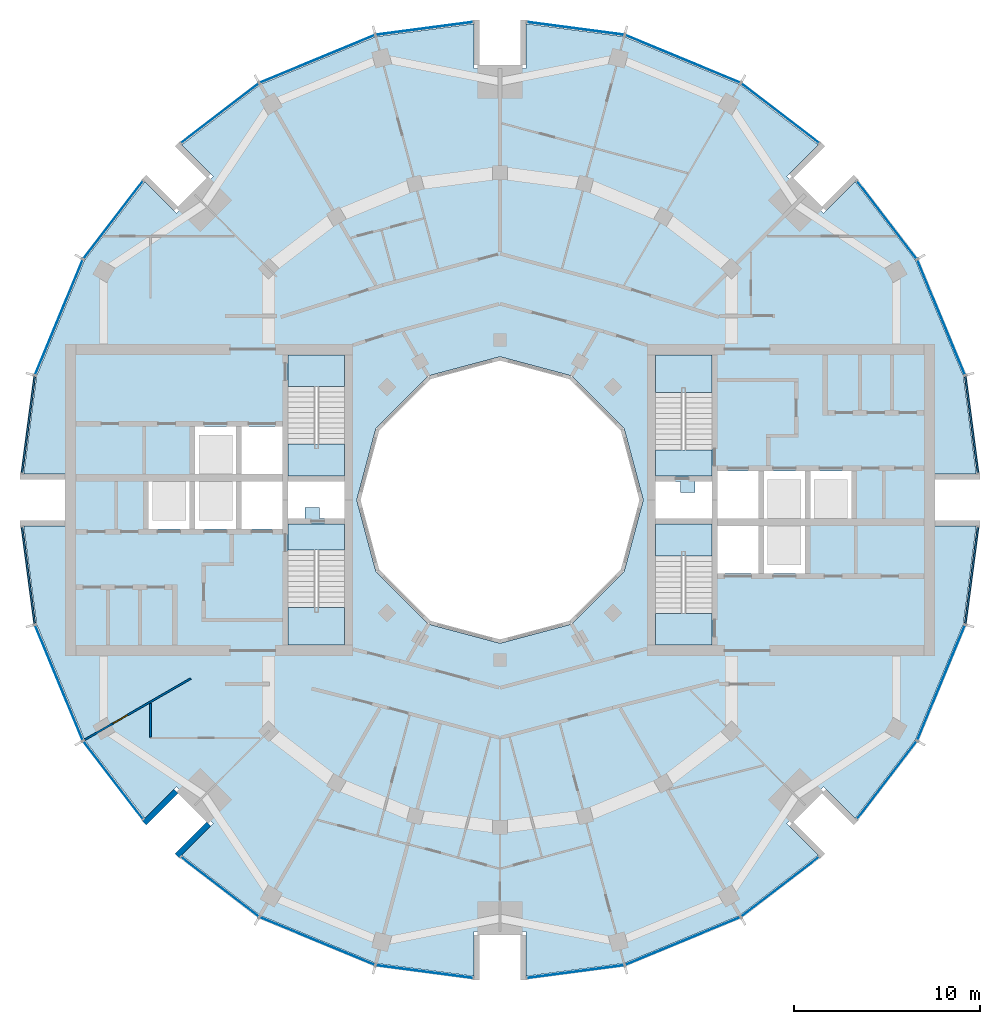
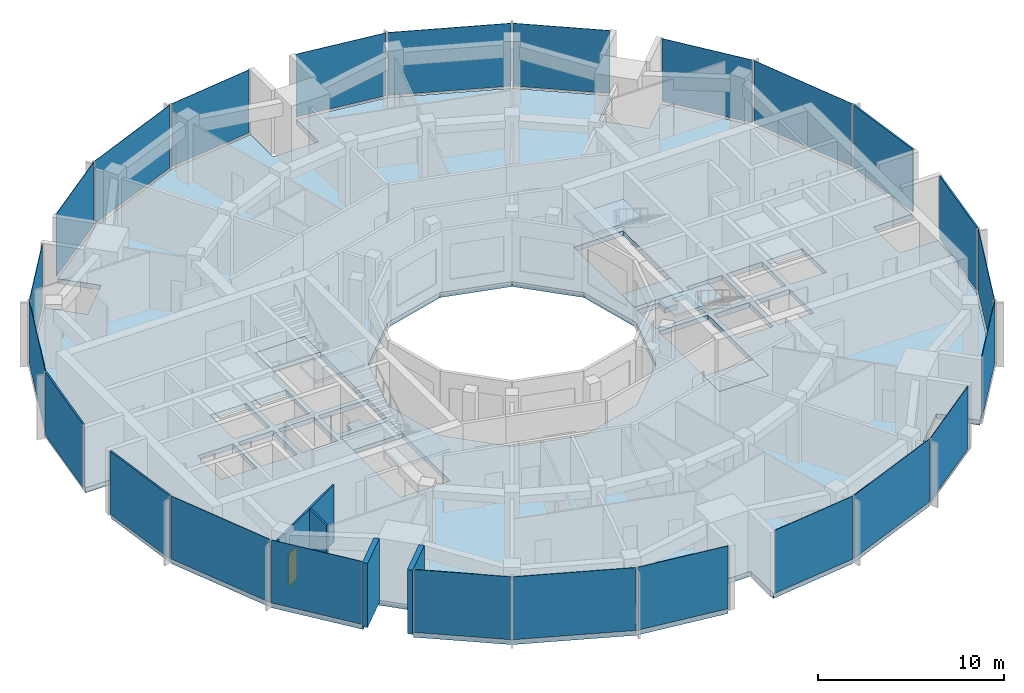
# One storey, part 7 of 15: 24 plates, 9 slabs, 4 walls, 1 door, 1 opening, 28 elements without a shape of their own.
"""IFC4 building model written with IfcOpenShell, lengths in metres."""

from ifc_helpers import new_model, si_unit, direction, frame, frame_2d, origin, origin_2d, place, context, subcontext, project, spatial, polyline, rectangle, outline, extrude, material, layer, layer_set, type_object, element, fill, aggregate, save


model = new_model("IFC4")

# Units and contexts
model_context = context("Model", 3, precision=1e-05, world=origin(), true_north=direction((0.0, 1.0)))
body_context = subcontext(model_context, "Body", "Model", "MODEL_VIEW")
ifc_project = project(units=[si_unit("LENGTHUNIT", "METRE"), si_unit("AREAUNIT", "SQUARE_METRE"), si_unit("VOLUMEUNIT", "CUBIC_METRE"), si_unit("PLANEANGLEUNIT", "RADIAN"), si_unit("MASSUNIT", "GRAM", prefix="KILO")], contexts=[model_context])

# Site, building, storey
site_placement = place(None, origin())
site = spatial("IfcSite", under=ifc_project, at=site_placement, CompositionType="ELEMENT")
building_placement = place(site_placement, origin())
building = spatial("IfcBuilding", under=site, at=building_placement, Name="Torre Brocal", CompositionType="ELEMENT")
storey_placement = place(building_placement, frame((0.0, 0.0, 212.5)))
storey = spatial("IfcBuildingStorey", under=building, at=storey_placement, Name="L49", CompositionType="ELEMENT", Elevation=212.5)

# Curtain wall, plate
ifc_material_1 = material(Name="Aluminium and glass", Category="aluminium")
ifc_layer_1 = layer(ifc_material_1, 0.199951171875)
ifc_layer_set_1 = layer_set([ifc_layer_1], Name="Aluminium and glass")
curtain_wall_type_1 = type_object("IfcCurtainWallType", Name="CW-1 CURTAIN WALL 4200 HIGH", PredefinedType="NOTDEFINED", material=ifc_layer_set_1)
curtain_wall_1_placement = place(storey_placement, origin())
curtain_wall_1 = element("IfcCurtainWall", 1, at=curtain_wall_1_placement, inside=storey, type_object=curtain_wall_type_1, Name="CW-1 RUN 2", PredefinedType="NOTDEFINED")
ifc_material_2 = material(Name="Glass, dark tinted laminated", Category="glass")
ifc_layer_2 = layer(ifc_material_2, 0.031982421875)
ifc_layer_set_2 = layer_set([ifc_layer_2], Name="Glass, dark tinted laminated")
plate_type_1 = type_object("IfcPlateType", Name="CW-1 GLASS PANEL 32", PredefinedType="CURTAIN_PANEL", material=ifc_layer_set_2)
plate_1_placement = place(storey_placement, frame((103.722900390625, 84.826416015625, 0.079833984375), z_axis=(0.0, 0.0, 1.0), x_axis=(-0.382683432333, 0.923879532525, 0.0)))
plate_1 = element("IfcPlate", 2, at=plate_1_placement, type_object=plate_type_1, Name="CW1-5 panel 1.1", PredefinedType="CURTAIN_PANEL", context=body_context, shape_type="SweptSolid", body=[
    extrude(rectangle(XDim=6.64111328125, YDim=0.031982421875, at=origin_2d()), origin(), (0.0, 0.0, 1.0), 4.1201171875),
])
aggregate(curtain_wall_1, [plate_1])

curtain_wall_2_placement = place(storey_placement, origin())
curtain_wall_2 = element("IfcCurtainWall", 3, at=curtain_wall_2_placement, inside=storey, type_object=curtain_wall_type_1, Name="CW-1 RUN 3", PredefinedType="NOTDEFINED")
plate_2_placement = place(storey_placement, frame((100.80126953125, 90.0712890625, 0.079833984375), z_axis=(0.0, 0.0, 1.0), x_axis=(-0.60876142905, 0.793353340259, 0.0)))
plate_2 = element("IfcPlate", 4, at=plate_2_placement, type_object=plate_type_1, Name="CW1-5 panel 1.1", PredefinedType="CURTAIN_PANEL", context=body_context, shape_type="SweptSolid", body=[
    extrude(rectangle(XDim=5.22900390625, YDim=0.031982421875, at=origin_2d()), origin(), (0.0, 0.0, 1.0), 4.1201171875),
])
aggregate(curtain_wall_2, [plate_2])

curtain_wall_3_placement = place(storey_placement, origin())
curtain_wall_3 = element("IfcCurtainWall", 5, at=curtain_wall_3_placement, inside=storey, type_object=curtain_wall_type_1, Name="CW-1 RUN 4", PredefinedType="NOTDEFINED")
plate_3_placement = place(storey_placement, frame((95.0712890625, 95.80126953125, 0.079833984375), z_axis=(0.0, 0.0, 1.0), x_axis=(-0.793353340259, 0.60876142905, 0.0)))
plate_3 = element("IfcPlate", 6, at=plate_3_placement, type_object=plate_type_1, Name="CW1-5 panel 1.1", PredefinedType="CURTAIN_PANEL", context=body_context, shape_type="SweptSolid", body=[
    extrude(rectangle(XDim=5.22900390625, YDim=0.031982421875, at=origin_2d()), origin(), (0.0, 0.0, 1.0), 4.1201171875),
])
aggregate(curtain_wall_3, [plate_3])

curtain_wall_4_placement = place(storey_placement, origin())
curtain_wall_4 = element("IfcCurtainWall", 7, at=curtain_wall_4_placement, inside=storey, type_object=curtain_wall_type_1, Name="CW-1 RUN 5", PredefinedType="NOTDEFINED")
plate_4_placement = place(storey_placement, frame((89.826416015625, 98.722900390625, 0.079833984375), z_axis=(0.0, 0.0, 1.0), x_axis=(-0.923879532525, 0.382683432333, 0.0)))
plate_4 = element("IfcPlate", 8, at=plate_4_placement, type_object=plate_type_1, Name="CW1-5 panel 1.1", PredefinedType="CURTAIN_PANEL", context=body_context, shape_type="SweptSolid", body=[
    extrude(rectangle(XDim=6.64111328125, YDim=0.031982421875, at=origin_2d()), origin(), (0.0, 0.0, 1.0), 4.1201171875),
])
aggregate(curtain_wall_4, [plate_4])

curtain_wall_5_placement = place(storey_placement, origin())
curtain_wall_5 = element("IfcCurtainWall", 9, at=curtain_wall_5_placement, inside=storey, type_object=curtain_wall_type_1, Name="CW-1 RUN 6", PredefinedType="NOTDEFINED")
plate_5_placement = place(storey_placement, frame((84.051513671875, 100.36572265625, 0.079833984375), z_axis=(0.0, 0.0, 1.0), x_axis=(-0.991444861374, 0.13052619222, 0.0)))
plate_5 = element("IfcPlate", 10, at=plate_5_placement, type_object=plate_type_1, Name="CW1-5 panel 1.1", PredefinedType="CURTAIN_PANEL", context=body_context, shape_type="SweptSolid", body=[
    extrude(rectangle(XDim=5.22900390625, YDim=0.031982421875, at=origin_2d()), origin(), (0.0, 0.0, 1.0), 4.1201171875),
])
aggregate(curtain_wall_5, [plate_5])

curtain_wall_6_placement = place(storey_placement, origin())
curtain_wall_6 = element("IfcCurtainWall", 11, at=curtain_wall_6_placement, inside=storey, type_object=curtain_wall_type_1, Name="CW-1 RUN 7", PredefinedType="NOTDEFINED")
plate_6_placement = place(storey_placement, frame((75.948486328125, 100.36572265625, 0.079833984375), z_axis=(0.0, 0.0, 1.0), x_axis=(-0.991444861374, -0.13052619222, 0.0)))
plate_6 = element("IfcPlate", 12, at=plate_6_placement, type_object=plate_type_1, Name="CW1-5 panel 1.1", PredefinedType="CURTAIN_PANEL", context=body_context, shape_type="SweptSolid", body=[
    extrude(rectangle(XDim=5.22900390625, YDim=0.031982421875, at=origin_2d()), origin(), (0.0, 0.0, 1.0), 4.1201171875),
])
aggregate(curtain_wall_6, [plate_6])

curtain_wall_7_placement = place(storey_placement, origin())
curtain_wall_7 = element("IfcCurtainWall", 13, at=curtain_wall_7_placement, inside=storey, type_object=curtain_wall_type_1, Name="CW-1 RUN 8", PredefinedType="NOTDEFINED")
plate_7_placement = place(storey_placement, frame((70.173583984375, 98.722900390625, 0.079833984375), z_axis=(0.0, 0.0, 1.0), x_axis=(-0.923879532525, -0.382683432333, 0.0)))
plate_7 = element("IfcPlate", 14, at=plate_7_placement, type_object=plate_type_1, Name="CW1-5 panel 1.1", PredefinedType="CURTAIN_PANEL", context=body_context, shape_type="SweptSolid", body=[
    extrude(rectangle(XDim=6.64111328125, YDim=0.031982421875, at=origin_2d()), origin(), (0.0, 0.0, 1.0), 4.1201171875),
])
aggregate(curtain_wall_7, [plate_7])

curtain_wall_8_placement = place(storey_placement, origin())
curtain_wall_8 = element("IfcCurtainWall", 15, at=curtain_wall_8_placement, inside=storey, type_object=curtain_wall_type_1, Name="CW-1 RUN 9", PredefinedType="NOTDEFINED")
plate_8_placement = place(storey_placement, frame((64.9287109375, 95.80126953125, 0.079833984375), z_axis=(0.0, 0.0, 1.0), x_axis=(-0.793353340259, -0.60876142905, 0.0)))
plate_8 = element("IfcPlate", 16, at=plate_8_placement, type_object=plate_type_1, Name="CW1-5 panel 1.1", PredefinedType="CURTAIN_PANEL", context=body_context, shape_type="SweptSolid", body=[
    extrude(rectangle(XDim=5.22900390625, YDim=0.031982421875, at=origin_2d()), origin(), (0.0, 0.0, 1.0), 4.1201171875),
])
aggregate(curtain_wall_8, [plate_8])

curtain_wall_9_placement = place(storey_placement, origin())
curtain_wall_9 = element("IfcCurtainWall", 17, at=curtain_wall_9_placement, inside=storey, type_object=curtain_wall_type_1, Name="CW-1 RUN 10", PredefinedType="NOTDEFINED")
plate_9_placement = place(storey_placement, frame((59.19873046875, 90.0712890625, 0.079833984375), z_axis=(0.0, 0.0, 1.0), x_axis=(-0.60876142905, -0.793353340259, 0.0)))
plate_9 = element("IfcPlate", 18, at=plate_9_placement, type_object=plate_type_1, Name="CW1-5 panel 1.1", PredefinedType="CURTAIN_PANEL", context=body_context, shape_type="SweptSolid", body=[
    extrude(rectangle(XDim=5.22900390625, YDim=0.031982421875, at=origin_2d()), origin(), (0.0, 0.0, 1.0), 4.1201171875),
])
aggregate(curtain_wall_9, [plate_9])

curtain_wall_10_placement = place(storey_placement, origin())
curtain_wall_10 = element("IfcCurtainWall", 19, at=curtain_wall_10_placement, inside=storey, type_object=curtain_wall_type_1, Name="CW-1 RUN 11", PredefinedType="NOTDEFINED")
plate_10_placement = place(storey_placement, frame((56.277099609375, 84.826416015625, 0.079833984375), z_axis=(0.0, 0.0, 1.0), x_axis=(-0.382683432333, -0.923879532525, 0.0)))
plate_10 = element("IfcPlate", 20, at=plate_10_placement, type_object=plate_type_1, Name="CW1-5 panel 1.1", PredefinedType="CURTAIN_PANEL", context=body_context, shape_type="SweptSolid", body=[
    extrude(rectangle(XDim=6.64111328125, YDim=0.031982421875, at=origin_2d()), origin(), (0.0, 0.0, 1.0), 4.1201171875),
])
aggregate(curtain_wall_10, [plate_10])

curtain_wall_11_placement = place(storey_placement, origin())
curtain_wall_11 = element("IfcCurtainWall", 21, at=curtain_wall_11_placement, inside=storey, type_object=curtain_wall_type_1, Name="CW-1 RUN 14", PredefinedType="NOTDEFINED")
plate_11_placement = place(storey_placement, frame((56.277099609375, 65.173583984375, 0.079833984375), z_axis=(0.0, 0.0, 1.0), x_axis=(0.382683432333, -0.923879532525, 0.0)))
plate_11 = element("IfcPlate", 22, at=plate_11_placement, type_object=plate_type_1, Name="CW1-5 panel 1.1", PredefinedType="CURTAIN_PANEL", context=body_context, shape_type="SweptSolid", body=[
    extrude(rectangle(XDim=6.64111328125, YDim=0.031982421875, at=origin_2d()), origin(), (0.0, 0.0, 1.0), 4.1201171875),
])
aggregate(curtain_wall_11, [plate_11])

curtain_wall_12_placement = place(storey_placement, origin())
curtain_wall_12 = element("IfcCurtainWall", 23, at=curtain_wall_12_placement, inside=storey, type_object=curtain_wall_type_1, Name="CW-1 RUN 15", PredefinedType="NOTDEFINED")
plate_12_placement = place(storey_placement, frame((59.19873046875, 59.9287109375, 0.079833984375), z_axis=(0.0, 0.0, 1.0), x_axis=(0.60876142905, -0.793353340259, 0.0)))
plate_12 = element("IfcPlate", 24, at=plate_12_placement, type_object=plate_type_1, Name="CW1-5 panel 1.1", PredefinedType="CURTAIN_PANEL", context=body_context, shape_type="SweptSolid", body=[
    extrude(rectangle(XDim=5.22900390625, YDim=0.031982421875, at=origin_2d()), origin(), (0.0, 0.0, 1.0), 4.1201171875),
])
aggregate(curtain_wall_12, [plate_12])

curtain_wall_13_placement = place(storey_placement, origin())
curtain_wall_13 = element("IfcCurtainWall", 25, at=curtain_wall_13_placement, inside=storey, type_object=curtain_wall_type_1, Name="CW-1 RUN 16", PredefinedType="NOTDEFINED")
plate_13_placement = place(storey_placement, frame((64.9287109375, 54.19873046875, 0.079833984375), z_axis=(0.0, 0.0, 1.0), x_axis=(0.793353340259, -0.60876142905, 0.0)))
plate_13 = element("IfcPlate", 26, at=plate_13_placement, type_object=plate_type_1, Name="CW1-5 panel 1.1", PredefinedType="CURTAIN_PANEL", context=body_context, shape_type="SweptSolid", body=[
    extrude(rectangle(XDim=5.22900390625, YDim=0.031982421875, at=origin_2d()), origin(), (0.0, 0.0, 1.0), 4.1201171875),
])
aggregate(curtain_wall_13, [plate_13])

curtain_wall_14_placement = place(storey_placement, origin())
curtain_wall_14 = element("IfcCurtainWall", 27, at=curtain_wall_14_placement, inside=storey, type_object=curtain_wall_type_1, Name="CW-1 RUN 17", PredefinedType="NOTDEFINED")
plate_14_placement = place(storey_placement, frame((70.173583984375, 51.277099609375, 0.079833984375), z_axis=(0.0, 0.0, 1.0), x_axis=(0.923879532525, -0.382683432333, 0.0)))
plate_14 = element("IfcPlate", 28, at=plate_14_placement, type_object=plate_type_1, Name="CW1-5 panel 1.1", PredefinedType="CURTAIN_PANEL", context=body_context, shape_type="SweptSolid", body=[
    extrude(rectangle(XDim=6.64111328125, YDim=0.031982421875, at=origin_2d()), origin(), (0.0, 0.0, 1.0), 4.1201171875),
])
aggregate(curtain_wall_14, [plate_14])

curtain_wall_15_placement = place(storey_placement, origin())
curtain_wall_15 = element("IfcCurtainWall", 29, at=curtain_wall_15_placement, inside=storey, type_object=curtain_wall_type_1, Name="CW-1 RUN 18", PredefinedType="NOTDEFINED")
plate_15_placement = place(storey_placement, frame((75.948486328125, 49.63427734375, 0.079833984375), z_axis=(0.0, 0.0, 1.0), x_axis=(0.991444861374, -0.13052619222, 0.0)))
plate_15 = element("IfcPlate", 30, at=plate_15_placement, type_object=plate_type_1, Name="CW1-5 panel 1.1", PredefinedType="CURTAIN_PANEL", context=body_context, shape_type="SweptSolid", body=[
    extrude(rectangle(XDim=5.22900390625, YDim=0.031982421875, at=origin_2d()), origin(), (0.0, 0.0, 1.0), 4.1201171875),
])
aggregate(curtain_wall_15, [plate_15])

curtain_wall_16_placement = place(storey_placement, origin())
curtain_wall_16 = element("IfcCurtainWall", 31, at=curtain_wall_16_placement, inside=storey, type_object=curtain_wall_type_1, Name="CW-1 RUN 19", PredefinedType="NOTDEFINED")
plate_16_placement = place(storey_placement, frame((84.051513671875, 49.63427734375, 0.079833984375), z_axis=(0.0, 0.0, 1.0), x_axis=(0.991444861374, 0.13052619222, 0.0)))
plate_16 = element("IfcPlate", 32, at=plate_16_placement, type_object=plate_type_1, Name="CW1-5 panel 1.1", PredefinedType="CURTAIN_PANEL", context=body_context, shape_type="SweptSolid", body=[
    extrude(rectangle(XDim=5.22900390625, YDim=0.031982421875, at=origin_2d()), origin(), (0.0, 0.0, 1.0), 4.1201171875),
])
aggregate(curtain_wall_16, [plate_16])

curtain_wall_17_placement = place(storey_placement, origin())
curtain_wall_17 = element("IfcCurtainWall", 33, at=curtain_wall_17_placement, inside=storey, type_object=curtain_wall_type_1, Name="CW-1 RUN 20", PredefinedType="NOTDEFINED")
plate_17_placement = place(storey_placement, frame((89.826416015625, 51.277099609375, 0.079833984375), z_axis=(0.0, 0.0, 1.0), x_axis=(0.923879532525, 0.382683432333, 0.0)))
plate_17 = element("IfcPlate", 34, at=plate_17_placement, type_object=plate_type_1, Name="CW1-5 panel 1.1", PredefinedType="CURTAIN_PANEL", context=body_context, shape_type="SweptSolid", body=[
    extrude(rectangle(XDim=6.64111328125, YDim=0.031982421875, at=origin_2d()), origin(), (0.0, 0.0, 1.0), 4.1201171875),
])
aggregate(curtain_wall_17, [plate_17])

curtain_wall_18_placement = place(storey_placement, origin())
curtain_wall_18 = element("IfcCurtainWall", 35, at=curtain_wall_18_placement, inside=storey, type_object=curtain_wall_type_1, Name="CW-1 RUN 21", PredefinedType="NOTDEFINED")
plate_18_placement = place(storey_placement, frame((95.0712890625, 54.19873046875, 0.079833984375), z_axis=(0.0, 0.0, 1.0), x_axis=(0.793353340259, 0.60876142905, 0.0)))
plate_18 = element("IfcPlate", 36, at=plate_18_placement, type_object=plate_type_1, Name="CW1-5 panel 1.1", PredefinedType="CURTAIN_PANEL", context=body_context, shape_type="SweptSolid", body=[
    extrude(rectangle(XDim=5.22900390625, YDim=0.031982421875, at=origin_2d()), origin(), (0.0, 0.0, 1.0), 4.1201171875),
])
aggregate(curtain_wall_18, [plate_18])

curtain_wall_19_placement = place(storey_placement, origin())
curtain_wall_19 = element("IfcCurtainWall", 37, at=curtain_wall_19_placement, inside=storey, type_object=curtain_wall_type_1, Name="CW-1 RUN 22", PredefinedType="NOTDEFINED")
plate_19_placement = place(storey_placement, frame((100.80126953125, 59.9287109375, 0.079833984375), z_axis=(0.0, 0.0, 1.0), x_axis=(0.60876142905, 0.793353340259, 0.0)))
plate_19 = element("IfcPlate", 38, at=plate_19_placement, type_object=plate_type_1, Name="CW1-5 panel 1.1", PredefinedType="CURTAIN_PANEL", context=body_context, shape_type="SweptSolid", body=[
    extrude(rectangle(XDim=5.22900390625, YDim=0.031982421875, at=origin_2d()), origin(), (0.0, 0.0, 1.0), 4.1201171875),
])
aggregate(curtain_wall_19, [plate_19])

curtain_wall_20_placement = place(storey_placement, origin())
curtain_wall_20 = element("IfcCurtainWall", 39, at=curtain_wall_20_placement, inside=storey, type_object=curtain_wall_type_1, Name="CW-1 RUN 23", PredefinedType="NOTDEFINED")
plate_20_placement = place(storey_placement, frame((103.722900390625, 65.173583984375, 0.079833984375), z_axis=(0.0, 0.0, 1.0), x_axis=(0.382683432333, 0.923879532525, 0.0)))
plate_20 = element("IfcPlate", 40, at=plate_20_placement, type_object=plate_type_1, Name="CW1-5 panel 1.1", PredefinedType="CURTAIN_PANEL", context=body_context, shape_type="SweptSolid", body=[
    extrude(rectangle(XDim=6.64111328125, YDim=0.031982421875, at=origin_2d()), origin(), (0.0, 0.0, 1.0), 4.1201171875),
])
aggregate(curtain_wall_20, [plate_20])

ifc_material_3 = material(Name="Aluminium and glass", Category="aluminium")
ifc_layer_3 = layer(ifc_material_3, 0.199951171875)
ifc_layer_set_3 = layer_set([ifc_layer_3], Name="Aluminium and glass")
curtain_wall_type_2 = type_object("IfcCurtainWallType", Name="CW-1B CURTAIN WALL 4200 HIGH", PredefinedType="NOTDEFINED", material=ifc_layer_set_3)
curtain_wall_21_placement = place(storey_placement, origin())
curtain_wall_21 = element("IfcCurtainWall", 41, at=curtain_wall_21_placement, inside=storey, type_object=curtain_wall_type_2, Name="CW-1B RUN 1", PredefinedType="NOTDEFINED")
ifc_material_4 = material(Name="Aluminium composite panel", Category="aluminium")
ifc_layer_4 = layer(ifc_material_4, 0.10009765625)
ifc_layer_set_4 = layer_set([ifc_layer_4], Name="Aluminium composite panel")
plate_type_2 = type_object("IfcPlateType", Name="CW-1B OPAQUE PANEL 100", PredefinedType="CURTAIN_PANEL", material=ifc_layer_set_4)
plate_21_placement = place(storey_placement, frame((105.36572265625, 79.051513671875, 0.079833984375), z_axis=(0.0, 0.0, 1.0), x_axis=(-0.13052619222, 0.991444861374, 0.0)))
plate_21 = element("IfcPlate", 42, at=plate_21_placement, type_object=plate_type_2, Name="CW1B-5 panel 1.1", PredefinedType="CURTAIN_PANEL", context=body_context, shape_type="SweptSolid", body=[
    extrude(rectangle(XDim=5.22900390625, YDim=0.10009765625, at=origin_2d()), origin(), (0.0, 0.0, 1.0), 4.1201171875),
])
aggregate(curtain_wall_21, [plate_21])

curtain_wall_22_placement = place(storey_placement, origin())
curtain_wall_22 = element("IfcCurtainWall", 43, at=curtain_wall_22_placement, inside=storey, type_object=curtain_wall_type_2, Name="CW-1B RUN 12", PredefinedType="NOTDEFINED")
plate_22_placement = place(storey_placement, frame((54.63427734375, 79.051513671875, 0.079833984375), z_axis=(0.0, 0.0, 1.0), x_axis=(-0.13052619222, -0.991444861374, 0.0)))
plate_22 = element("IfcPlate", 44, at=plate_22_placement, type_object=plate_type_2, Name="CW1B-5 panel 1.1", PredefinedType="CURTAIN_PANEL", context=body_context, shape_type="SweptSolid", body=[
    extrude(rectangle(XDim=5.22900390625, YDim=0.10009765625, at=origin_2d()), origin(), (0.0, 0.0, 1.0), 4.1201171875),
])
aggregate(curtain_wall_22, [plate_22])

curtain_wall_23_placement = place(storey_placement, origin())
curtain_wall_23 = element("IfcCurtainWall", 45, at=curtain_wall_23_placement, inside=storey, type_object=curtain_wall_type_2, Name="CW-1B RUN 13", PredefinedType="NOTDEFINED")
plate_23_placement = place(storey_placement, frame((54.63427734375, 70.948486328125, 0.079833984375), z_axis=(0.0, 0.0, 1.0), x_axis=(0.13052619222, -0.991444861374, 0.0)))
plate_23 = element("IfcPlate", 46, at=plate_23_placement, type_object=plate_type_2, Name="CW1B-5 panel 1.1", PredefinedType="CURTAIN_PANEL", context=body_context, shape_type="SweptSolid", body=[
    extrude(rectangle(XDim=5.22900390625, YDim=0.10009765625, at=origin_2d()), origin(), (0.0, 0.0, 1.0), 4.1201171875),
])
aggregate(curtain_wall_23, [plate_23])

curtain_wall_24_placement = place(storey_placement, origin())
curtain_wall_24 = element("IfcCurtainWall", 47, at=curtain_wall_24_placement, inside=storey, type_object=curtain_wall_type_2, Name="CW-1B RUN 24", PredefinedType="NOTDEFINED")
plate_24_placement = place(storey_placement, frame((105.36572265625, 70.948486328125, 0.079833984375), z_axis=(0.0, 0.0, 1.0), x_axis=(0.13052619222, 0.991444861374, 0.0)))
plate_24 = element("IfcPlate", 48, at=plate_24_placement, type_object=plate_type_2, Name="CW1B-5 panel 1.1", PredefinedType="CURTAIN_PANEL", context=body_context, shape_type="SweptSolid", body=[
    extrude(rectangle(XDim=5.22900390625, YDim=0.10009765625, at=origin_2d()), origin(), (0.0, 0.0, 1.0), 4.1201171875),
])
aggregate(curtain_wall_24, [plate_24])

# Stair, slab
ifc_material_5 = material(Name="Concrete C50", Category="concrete")
stair_type = type_object("IfcStairType", Name="EXIT STAIR", PredefinedType="HALF_TURN_STAIR", material=ifc_material_5)
stair_1_placement = place(storey_placement, origin())
stair_1 = element("IfcStair", 49, at=stair_1_placement, inside=storey, type_object=stair_type, Name="EXIT STAIR ST1", PredefinedType="HALF_TURN_STAIR")
ifc_material_6 = material(Name="Concrete C50", Category="concrete")
ifc_layer_5 = layer(ifc_material_6, 0.320068359375)
ifc_layer_set_5 = layer_set([ifc_layer_5], Name="Concrete C50")
slab_type_1 = type_object("IfcSlabType", Name="FLOOR LANDING 320", PredefinedType="LANDING", material=ifc_layer_set_5)
slab_1_placement = place(storey_placement, frame((0.0, 0.0, -0.320068359375)))
slab_1 = element("IfcSlab", 50, at=slab_1_placement, type_object=slab_type_1, Name="ST1 landing 1", PredefinedType="LANDING", context=body_context, shape_type="SweptSolid", body=[
    extrude(outline(polyline([(88.35009765625, 76.300048828125), (91.39990234375, 76.300048828125), (91.39990234375, 77.699951171875), (88.35009765625, 77.699951171875), (88.35009765625, 76.300048828125)])), origin(), (0.0, 0.0, 1.0), 0.320068359375),
])

stair_2_placement = place(storey_placement, origin())
stair_2 = element("IfcStair", 51, at=stair_2_placement, inside=storey, type_object=stair_type, Name="EXIT STAIR ST2", PredefinedType="HALF_TURN_STAIR")
slab_2_placement = place(storey_placement, frame((0.0, 0.0, -0.320068359375)))
slab_2 = element("IfcSlab", 52, at=slab_2_placement, type_object=slab_type_1, Name="ST2 landing 1", PredefinedType="LANDING", context=body_context, shape_type="SweptSolid", body=[
    extrude(outline(polyline([(88.35009765625, 67.199951171875), (91.39990234375, 67.199951171875), (91.39990234375, 68.89990234375), (88.35009765625, 68.89990234375), (88.35009765625, 67.199951171875)])), origin(), (0.0, 0.0, 1.0), 0.320068359375),
])

stair_3_placement = place(storey_placement, origin())
stair_3 = element("IfcStair", 53, at=stair_3_placement, inside=storey, type_object=stair_type, Name="EXIT STAIR ST3", PredefinedType="HALF_TURN_STAIR")
slab_3_placement = place(storey_placement, frame((0.0, 0.0, -0.320068359375)))
slab_3 = element("IfcSlab", 54, at=slab_3_placement, type_object=slab_type_1, Name="ST3 landing 1", PredefinedType="LANDING", context=body_context, shape_type="SweptSolid", body=[
    extrude(outline(polyline([(71.64990234375, 73.699951171875), (68.60009765625, 73.699951171875), (68.60009765625, 72.300048828125), (71.64990234375, 72.300048828125), (71.64990234375, 73.699951171875)])), origin(), (0.0, 0.0, 1.0), 0.320068359375),
])

stair_4_placement = place(storey_placement, origin())
stair_4 = element("IfcStair", 55, at=stair_4_placement, inside=storey, type_object=stair_type, Name="EXIT STAIR ST4", PredefinedType="HALF_TURN_STAIR")
slab_4_placement = place(storey_placement, frame((0.0, 0.0, -0.320068359375)))
slab_4 = element("IfcSlab", 56, at=slab_4_placement, type_object=slab_type_1, Name="ST4 landing 1", PredefinedType="LANDING", context=body_context, shape_type="SweptSolid", body=[
    extrude(outline(polyline([(71.64990234375, 82.800048828125), (68.60009765625, 82.800048828125), (68.60009765625, 81.10009765625), (71.64990234375, 81.10009765625), (71.64990234375, 82.800048828125)])), origin(), (0.0, 0.0, 1.0), 0.320068359375),
])

# Slab
ifc_material_7 = material(Name="Concrete C50", Category="concrete")
ifc_layer_6 = layer(ifc_material_7, 0.199951171875)
ifc_layer_set_6 = layer_set([ifc_layer_6], Name="Concrete C50")
slab_type_2 = type_object("IfcSlabType", Name="MID LANDING +2100", PredefinedType="LANDING", material=ifc_layer_set_6)
slab_5_placement = place(storey_placement, frame((0.0, 0.0, 1.89990234375)))
slab_5 = element("IfcSlab", 57, at=slab_5_placement, type_object=slab_type_2, Name="ST1 landing 2", PredefinedType="LANDING", context=body_context, shape_type="SweptSolid", body=[
    extrude(outline(polyline([(88.35009765625, 80.780029296875), (91.39990234375, 80.780029296875), (91.39990234375, 82.800048828125), (88.35009765625, 82.800048828125), (88.35009765625, 80.780029296875)])), origin(), (0.0, 0.0, 1.0), 0.2001953125),
])

aggregate(stair_1, [slab_1, slab_5])

slab_6_placement = place(storey_placement, frame((0.0, 0.0, 1.89990234375)))
slab_6 = element("IfcSlab", 58, at=slab_6_placement, type_object=slab_type_2, Name="ST2 landing 2", PredefinedType="LANDING", context=body_context, shape_type="SweptSolid", body=[
    extrude(outline(polyline([(88.35009765625, 71.97998046875), (91.39990234375, 71.97998046875), (91.39990234375, 73.699951171875), (88.35009765625, 73.699951171875), (88.35009765625, 71.97998046875)])), origin(), (0.0, 0.0, 1.0), 0.2001953125),
])

aggregate(stair_2, [slab_2, slab_6])

slab_7_placement = place(storey_placement, frame((0.0, 0.0, 1.89990234375)))
slab_7 = element("IfcSlab", 59, at=slab_7_placement, type_object=slab_type_2, Name="ST3 landing 2", PredefinedType="LANDING", context=body_context, shape_type="SweptSolid", body=[
    extrude(outline(polyline([(71.64990234375, 69.219970703125), (68.60009765625, 69.219970703125), (68.60009765625, 67.199951171875), (71.64990234375, 67.199951171875), (71.64990234375, 69.219970703125)])), origin(), (0.0, 0.0, 1.0), 0.2001953125),
])

aggregate(stair_3, [slab_3, slab_7])

slab_8_placement = place(storey_placement, frame((0.0, 0.0, 1.89990234375)))
slab_8 = element("IfcSlab", 60, at=slab_8_placement, type_object=slab_type_2, Name="ST4 landing 2", PredefinedType="LANDING", context=body_context, shape_type="SweptSolid", body=[
    extrude(outline(polyline([(71.64990234375, 78.02001953125), (68.60009765625, 78.02001953125), (68.60009765625, 76.300048828125), (71.64990234375, 76.300048828125), (71.64990234375, 78.02001953125)])), origin(), (0.0, 0.0, 1.0), 0.2001953125),
])

aggregate(stair_4, [slab_4, slab_8])

ifc_material_8 = material(Name="Concrete C45", Category="concrete")
ifc_layer_7 = layer(ifc_material_8, 0.320068359375)
ifc_layer_set_7 = layer_set([ifc_layer_7], Name="Concrete C45")
slab_type_3 = type_object("IfcSlabType", Name="PT FLOOR SLAB 320 C45", PredefinedType="FLOOR", material=ifc_layer_set_7)
slab_9_placement = place(storey_placement, frame((0.0, 0.0, -0.320068359375)))
element("IfcSlab", 61, at=slab_9_placement, inside=storey, type_object=slab_type_3, Name="Slab ST-05", PredefinedType="FLOOR", context=body_context, shape_type="SweptSolid", body=[
    extrude(outline(polyline([(103.199951171875, 76.39990234375), (103.199951171875, 73.60009765625), (105.614013671875, 73.60009765625), (104.919189453125, 68.322998046875), (102.342041015625, 62.100830078125), (99.101806640625, 57.878173828125), (97.394775390625, 59.5849609375), (95.4150390625, 57.605224609375), (97.121826171875, 55.898193359375), (92.899169921875, 52.657958984375), (86.677001953125, 50.080810546875), (81.39990234375, 49.385986328125), (81.39990234375, 51.800048828125), (78.60009765625, 51.800048828125), (78.60009765625, 49.385986328125), (73.322998046875, 50.080810546875), (67.100830078125, 52.657958984375), (62.878173828125, 55.898193359375), (64.5849609375, 57.605224609375), (62.605224609375, 59.5849609375), (60.898193359375, 57.878173828125), (57.657958984375, 62.100830078125), (55.080810546875, 68.322998046875), (54.385986328125, 73.60009765625), (56.800048828125, 73.60009765625), (56.800048828125, 76.39990234375), (54.385986328125, 76.39990234375), (55.080810546875, 81.677001953125), (57.657958984375, 87.899169921875), (60.898193359375, 92.121826171875), (62.605224609375, 90.4150390625), (64.5849609375, 92.394775390625), (62.878173828125, 94.101806640625), (67.100830078125, 97.342041015625), (73.322998046875, 99.919189453125), (78.60009765625, 100.614013671875), (78.60009765625, 98.199951171875), (81.39990234375, 98.199951171875), (81.39990234375, 100.614013671875), (86.677001953125, 99.919189453125), (92.899169921875, 97.342041015625), (97.121826171875, 94.101806640625), (95.4150390625, 92.394775390625), (97.394775390625, 90.4150390625), (99.101806640625, 92.121826171875), (102.342041015625, 87.899169921875), (104.919189453125, 81.677001953125), (105.614013671875, 76.39990234375), (103.199951171875, 76.39990234375)]), holes=[polyline([(98.89990234375, 76.550048828125), (96.699951171875, 76.550048828125), (96.699951171875, 74.0), (98.89990234375, 74.0), (98.89990234375, 76.550048828125)]), polyline([(96.39990234375, 76.550048828125), (94.199951171875, 76.550048828125), (94.199951171875, 74.0), (96.39990234375, 74.0), (96.39990234375, 76.550048828125)]), polyline([(96.39990234375, 73.60009765625), (94.199951171875, 73.60009765625), (94.199951171875, 71.050048828125), (96.39990234375, 71.050048828125), (96.39990234375, 73.60009765625)]), polyline([(93.89990234375, 76.550048828125), (91.699951171875, 76.550048828125), (91.699951171875, 74.0), (93.89990234375, 74.0), (93.89990234375, 76.550048828125)]), polyline([(93.89990234375, 73.60009765625), (91.699951171875, 73.60009765625), (91.699951171875, 71.050048828125), (93.89990234375, 71.050048828125), (93.89990234375, 73.60009765625)]), polyline([(89.699951171875, 76.0), (88.35009765625, 76.0), (88.35009765625, 74.0), (91.39990234375, 74.0), (91.39990234375, 76.0), (90.5, 76.0), (90.5, 75.39990234375), (89.699951171875, 75.39990234375), (89.699951171875, 76.0)]), polyline([(91.39990234375, 82.800048828125), (88.35009765625, 82.800048828125), (88.35009765625, 76.300048828125), (91.39990234375, 76.300048828125), (91.39990234375, 82.800048828125)]), polyline([(91.39990234375, 73.699951171875), (88.35009765625, 73.699951171875), (88.35009765625, 67.199951171875), (91.39990234375, 67.199951171875), (91.39990234375, 73.699951171875)]), polyline([(80.0, 82.70703125), (76.146484375, 81.674560546875), (73.325439453125, 78.853515625), (72.29296875, 75.0), (73.325439453125, 71.146484375), (76.146484375, 68.325439453125), (80.0, 67.29296875), (83.853515625, 68.325439453125), (86.674560546875, 71.146484375), (87.70703125, 75.0), (86.674560546875, 78.853515625), (83.853515625, 81.674560546875), (80.0, 82.70703125)]), polyline([(70.300048828125, 74.0), (71.64990234375, 74.0), (71.64990234375, 76.0), (68.60009765625, 76.0), (68.60009765625, 74.0), (69.5, 74.0), (69.5, 74.60009765625), (70.300048828125, 74.60009765625), (70.300048828125, 74.0)]), polyline([(68.60009765625, 76.300048828125), (71.64990234375, 76.300048828125), (71.64990234375, 82.800048828125), (68.60009765625, 82.800048828125), (68.60009765625, 76.300048828125)]), polyline([(68.60009765625, 67.199951171875), (71.64990234375, 67.199951171875), (71.64990234375, 73.699951171875), (68.60009765625, 73.699951171875), (68.60009765625, 67.199951171875)]), polyline([(66.10009765625, 76.39990234375), (68.300048828125, 76.39990234375), (68.300048828125, 78.949951171875), (66.10009765625, 78.949951171875), (66.10009765625, 76.39990234375)]), polyline([(66.10009765625, 73.449951171875), (68.300048828125, 73.449951171875), (68.300048828125, 76.0), (66.10009765625, 76.0), (66.10009765625, 73.449951171875)]), polyline([(63.60009765625, 76.39990234375), (65.800048828125, 76.39990234375), (65.800048828125, 78.949951171875), (63.60009765625, 78.949951171875), (63.60009765625, 76.39990234375)]), polyline([(63.60009765625, 73.449951171875), (65.800048828125, 73.449951171875), (65.800048828125, 76.0), (63.60009765625, 76.0), (63.60009765625, 73.449951171875)]), polyline([(61.10009765625, 73.449951171875), (63.300048828125, 73.449951171875), (63.300048828125, 76.0), (61.10009765625, 76.0), (61.10009765625, 73.449951171875)])]), origin(), (0.0, 0.0, 1.0), 0.320068359375),
])

# Walls
ifc_material_9 = material(Name="Concrete C60", Category="concrete")
ifc_layer_8 = layer(ifc_material_9, 0.300048828125)
ifc_layer_set_8 = layer_set([ifc_layer_8], Name="Concrete C60")
wall_type_1 = type_object("IfcWallType", Name="NOTCH RETURN WALL 300 C60", PredefinedType="NOTDEFINED", material=ifc_layer_set_8)
for number, where, z_axis, x_axis, name in (
    (62, (62.56982421875, 59.337646484375, 0.0), (0.0, 0.0, 1.0), (-0.707106781187, -0.707106781187, 0.0), "NOTCH RETURN WALL"),
    (63, (64.337646484375, 57.56982421875, 0.0), (0.0, 0.0, 1.0), (-0.707106781187, -0.707106781187, 0.0), "NOTCH RETURN WALL"),
):
    element("IfcWall", number, at=place(storey_placement, frame(where, z_axis=z_axis, x_axis=x_axis)), inside=storey, type_object=wall_type_1, Name=name, PredefinedType="NOTDEFINED", context=body_context, shape_type="SweptSolid", body=[
        extrude(rectangle(XDim=2.415771484375, YDim=0.300048828125, at=frame_2d((1.2080078125, 0.0))), origin(), (0.0, 0.0, 1.0), 4.199951171875),
    ])

# Wall, opening, door
ifc_material_10 = material(Name="Gypsum board", Category="Gypsum")
ifc_layer_9 = layer(ifc_material_10, 0.10009765625)
ifc_layer_set_9 = layer_set([ifc_layer_9], Name="Gypsum board")
wall_type_2 = type_object("IfcWallType", Name="PARTITION 100", PredefinedType="PARTITIONING", material=ifc_layer_set_9)
wall_1_placement = place(storey_placement, frame((57.658447265625, 62.1015625, 0.0), z_axis=(0.0, 0.0, 1.0), x_axis=(0.866131372301, 0.499816412211, 0.0)))
wall_1 = element("IfcWall", 64, at=wall_1_placement, inside=storey, type_object=wall_type_2, Name="BATHROOM WALL", PredefinedType="PARTITIONING", context=body_context, shape_type="SweptSolid", body=[
    extrude(rectangle(XDim=6.59814453125, YDim=0.10009765625, at=frame_2d((3.299072265625, 0.0))), origin(), (0.0, 0.0, 1.0), 3.75),
])
opening_placement = place(wall_1_placement, frame((1.769775390625, 0.0, 0.0)))
opening = element("IfcOpeningElement", 65, at=opening_placement, cuts=wall_1, Name="Opening B01-D36", PredefinedType="OPENING", context=body_context, shape_type="SweptSolid", body=[
    extrude(rectangle(XDim=0.89990234375, YDim=2.10009765625, at=frame_2d((0.449951171875, 1.050048828125))), frame((0.0, 0.06005859375, 0.0), z_axis=(0.0, -1.0, 0.0), x_axis=(1.0, 0.0, 0.0)), (0.0, 0.0, 1.0), 0.1201171875),
])
ifc_material_11 = material(Name="Timber", Category="wood")
door_type = type_object("IfcDoorType", Name="ROOM DOOR 900X2100", OperationType="SINGLE_SWING_LEFT", PredefinedType="DOOR", material=ifc_material_11)
door_placement = place(opening_placement, frame((0.89990234375, 0.0, 0.0), z_axis=(0.0, 0.0, 1.0), x_axis=(-1.0, 0.0, 0.0)))
door = element("IfcDoor", 66, at=door_placement, inside=storey, type_object=door_type, Name="B01-D36", OperationType="SINGLE_SWING_LEFT", OverallHeight=2.10009765625, OverallWidth=0.89990234375, PredefinedType="DOOR", context=body_context, shape_type="SweptSolid", body=[
    extrude(rectangle(XDim=0.89990234375, YDim=2.10009765625, at=frame_2d((0.449951171875, 1.050048828125))), frame((0.0, 0.02490234375, 0.0), z_axis=(0.0, -1.0, 0.0), x_axis=(1.0, 0.0, 0.0)), (0.0, 0.0, 1.0), 0.050048828125),
])
fill(opening, door)

# Wall
wall_2_placement = place(storey_placement, frame((61.199951171875, 62.25, 0.0), z_axis=(0.0, 0.0, 1.0), x_axis=(0.0, 1.0, 0.0)))
element("IfcWall", 67, at=wall_2_placement, inside=storey, type_object=wall_type_2, Name="BATHROOM WALL", PredefinedType="PARTITIONING", context=body_context, shape_type="SweptSolid", body=[
    extrude(rectangle(XDim=1.815673828125, YDim=0.10009765625, at=frame_2d((0.90771484375, 0.0))), origin(), (0.0, 0.0, 1.0), 3.75),
])

save(model, "model.ifc")
